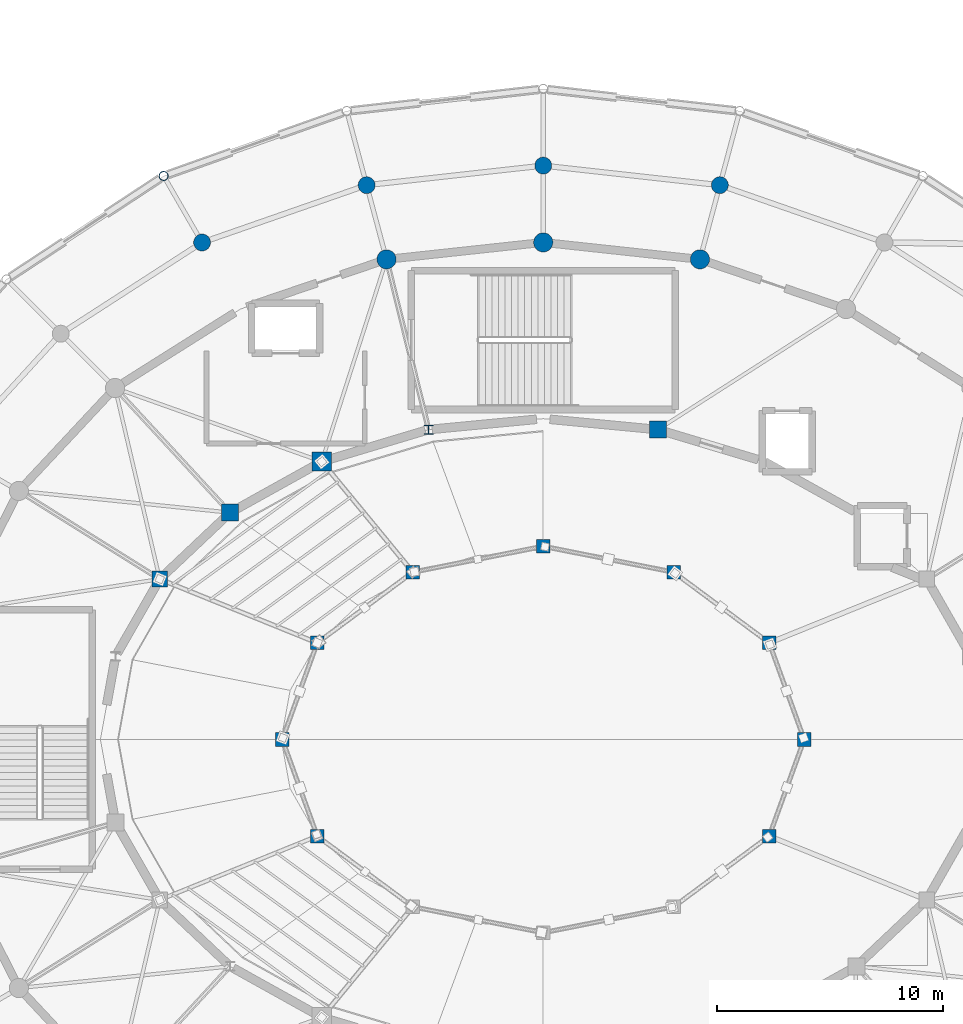
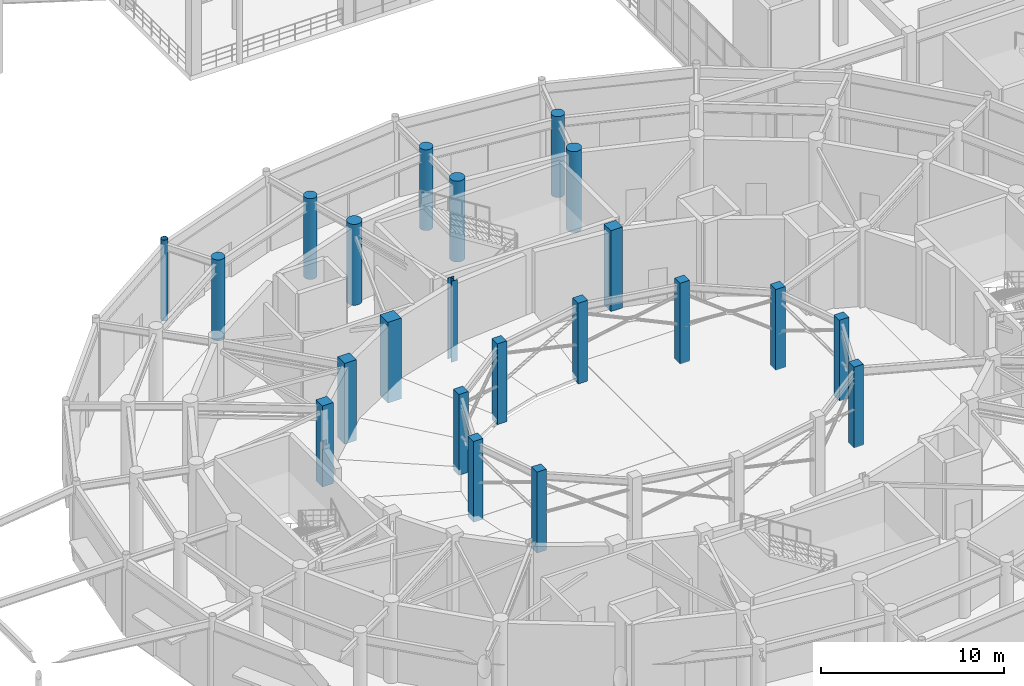
# One storey, part 8 of 93: 22 columns.
"""IFC4 building model written with IfcOpenShell, lengths in metres."""

from ifc_helpers import new_model, si_unit, direction, frame, origin, origin_2d, place, context, subcontext, project, spatial, rectangle, circle, hollow_circle, i_section, extrude, material, material_profile, profile_set, type_object, element, save


model = new_model("IFC4")

# Units and contexts
model_context = context("Model", 3, precision=1e-05, world=origin(), true_north=direction((0.0, 1.0)))
body_context = subcontext(model_context, "Body", "Model", "MODEL_VIEW")
ifc_project = project(units=[si_unit("LENGTHUNIT", "METRE"), si_unit("AREAUNIT", "SQUARE_METRE"), si_unit("VOLUMEUNIT", "CUBIC_METRE"), si_unit("PLANEANGLEUNIT", "RADIAN"), si_unit("MASSUNIT", "GRAM", prefix="KILO")], contexts=[model_context])

# Site, building, storey
site_placement = place(None, origin())
site = spatial("IfcSite", under=ifc_project, at=site_placement, CompositionType="ELEMENT")
building_placement = place(site_placement, origin())
building = spatial("IfcBuilding", under=site, at=building_placement, Name="Cinderbank Siding Concert Hall", CompositionType="ELEMENT")
storey_placement = place(building_placement, origin())
storey = spatial("IfcBuildingStorey", under=building, at=storey_placement, Name="L01", CompositionType="ELEMENT", Elevation=0.0)

# Columns
ifc_material_1 = material(Name="Structural steel hollow section AS/NZS 1163 Grade C350L0 (350 MPa)", Category="steel")
ifc_material_profile_1 = material_profile(ifc_material_1, hollow_circle(Radius=0.203125, WallThickness=0.01611328125, at=origin_2d()), Name="406.4x16.0CHS", Category="LoadBearing")
ifc_profile_set_1 = profile_set([ifc_material_profile_1], Name="Structural steel hollow section AS/NZS 1163 Grade C350L0 (350 MPa)")
column_type_1 = type_object("IfcColumnType", Name="C-CHS406 406.4x16.0CHS", PredefinedType="COLUMN", material=ifc_profile_set_1)
column_1_placement = place(storey_placement, frame((105.199951171875, 68.94189453125, 0.0), z_axis=(0.0, 0.0, 1.0), x_axis=(1.0, 0.0, 0.0)))
element("IfcColumn", 1, at=column_1_placement, inside=storey, type_object=column_type_1, Name="L01 Column COL-E4-09", PredefinedType="COLUMN", context=body_context, shape_type="SweptSolid", body=[
    extrude(hollow_circle(Radius=0.203125, WallThickness=0.01611328125, at=origin_2d()), origin(), (0.0, 0.0, 1.0), 5.39990234375),
])
ifc_material_2 = material(Name="Reinforced concrete AS 3600 N50 (50 MPa)", Category="concrete")
ifc_material_profile_2 = material_profile(ifc_material_2, rectangle(XDim=0.60009765625, YDim=0.60009765625, at=origin_2d()), Name="RC-COL-600x600", Category="LoadBearing")
ifc_profile_set_2 = profile_set([ifc_material_profile_2], Name="Reinforced concrete AS 3600 N50 (50 MPa)")
column_type_2 = type_object("IfcColumnType", Name="C-RC600 RC-COL-600x600", PredefinedType="COLUMN", material=ifc_profile_set_2)
for number, where, z_axis, x_axis, name in (
    (2, (133.550048828125, 44.0, 0.0), (0.0, 0.0, 1.0), (1.0, 0.0, 0.0), "L01 Column COL-E0-01"),
    (3, (132.0029296875, 48.27490234375, 0.0), (0.0, 0.0, 1.0), (1.0, 0.0, 0.0), "L01 Column COL-E0-03"),
    (4, (127.77490234375, 51.404052734375, 0.0), (0.0, 0.0, 1.0), (1.0, 0.0, 0.0), "L01 Column COL-E0-05"),
    (5, (122.0, 52.550048828125, 0.0), (0.0, 0.0, 1.0), (1.0, 0.0, 0.0), "L01 Column COL-E0-07"),
    (6, (116.22509765625, 51.404052734375, 0.0), (0.0, 0.0, 1.0), (1.0, 0.0, 0.0), "L01 Column COL-E0-09"),
    (7, (111.9970703125, 48.27490234375, 0.0), (0.0, 0.0, 1.0), (1.0, 0.0, 0.0), "L01 Column COL-E0-11"),
    (8, (110.449951171875, 44.0, 0.0), (0.0, 0.0, 1.0), (1.0, 0.0, 0.0), "L01 Column COL-E0-13"),
    (9, (111.9970703125, 39.72509765625, 0.0), (0.0, 0.0, 1.0), (1.0, 0.0, 0.0), "L01 Column COL-E0-15"),
    (10, (132.0029296875, 39.72509765625, 0.0), (0.0, 0.0, 1.0), (1.0, 0.0, 0.0), "L01 Column COL-E0-23"),
):
    element("IfcColumn", number, at=place(storey_placement, frame(where, z_axis=z_axis, x_axis=x_axis)), inside=storey, type_object=column_type_2, Name=name, PredefinedType="COLUMN", context=body_context, shape_type="SweptSolid", body=[
        extrude(rectangle(XDim=0.60009765625, YDim=0.60009765625, at=origin_2d()), origin(), (0.0, 0.0, 1.0), 5.39990234375),
    ])
ifc_material_profile_3 = material_profile(ifc_material_2, rectangle(XDim=0.699951171875, YDim=0.699951171875, at=origin_2d()), Name="RC-COL-700x700", Category="LoadBearing")
ifc_profile_set_3 = profile_set([ifc_material_profile_3], Name="Reinforced concrete AS 3600 N50 (50 MPa)")
column_type_3 = type_object("IfcColumnType", Name="C-RC700 RC-COL-700x700", PredefinedType="COLUMN", material=ifc_profile_set_3)
column_2_placement = place(storey_placement, frame((105.02587890625, 51.10009765625, 0.0), z_axis=(0.0, 0.0, 1.0), x_axis=(1.0, 0.0, 0.0)))
element("IfcColumn", 11, at=column_2_placement, inside=storey, type_object=column_type_3, Name="L01 Column COL-E1-11", PredefinedType="COLUMN", context=body_context, shape_type="SweptSolid", body=[
    extrude(rectangle(XDim=0.699951171875, YDim=0.699951171875, at=origin_2d()), origin(), (0.0, 0.0, 1.0), 5.39990234375),
])
ifc_material_profile_4 = material_profile(ifc_material_2, rectangle(XDim=0.75, YDim=0.75, at=origin_2d()), Name="RC-COL-750x750", Category="LoadBearing")
ifc_profile_set_4 = profile_set([ifc_material_profile_4], Name="Reinforced concrete AS 3600 N50 (50 MPa)")
column_type_4 = type_object("IfcColumnType", Name="C-RC750 RC-COL-750x750", PredefinedType="COLUMN", material=ifc_profile_set_4)
for number, where, z_axis, x_axis, name in (
    (12, (127.072998046875, 57.716064453125, 0.0), (0.0, 0.0, 1.0), (1.0, 0.0, 0.0), "L01 Column COL-E1-06"),
    (13, (108.14111328125, 54.041015625, 0.0), (0.0, 0.0, 1.0), (1.0, 0.0, 0.0), "L01 Column COL-E1-10"),
):
    element("IfcColumn", number, at=place(storey_placement, frame(where, z_axis=z_axis, x_axis=x_axis)), inside=storey, type_object=column_type_4, Name=name, PredefinedType="COLUMN", context=body_context, shape_type="SweptSolid", body=[
        extrude(rectangle(XDim=0.75, YDim=0.75, at=origin_2d()), origin(), (0.0, 0.0, 1.0), 5.39990234375),
    ])
ifc_material_profile_5 = material_profile(ifc_material_2, rectangle(XDim=0.85009765625, YDim=0.85009765625, at=origin_2d()), Name="RC-COL-850x850", Category="LoadBearing")
ifc_profile_set_5 = profile_set([ifc_material_profile_5], Name="Reinforced concrete AS 3600 N50 (50 MPa)")
column_type_5 = type_object("IfcColumnType", Name="C-RC850 RC-COL-850x850", PredefinedType="COLUMN", material=ifc_profile_set_5)
column_3_placement = place(storey_placement, frame((112.199951171875, 56.298095703125, 0.0), z_axis=(0.0, 0.0, 1.0), x_axis=(1.0, 0.0, 0.0)))
element("IfcColumn", 14, at=column_3_placement, inside=storey, type_object=column_type_5, Name="L01 Column COL-E1-09", PredefinedType="COLUMN", context=body_context, shape_type="SweptSolid", body=[
    extrude(rectangle(XDim=0.85009765625, YDim=0.85009765625, at=origin_2d()), origin(), (0.0, 0.0, 1.0), 5.39990234375),
])
ifc_material_profile_6 = material_profile(ifc_material_2, circle(Radius=0.375, at=origin_2d()), Name="RC-COL-750DIA", Category="LoadBearing")
ifc_profile_set_6 = profile_set([ifc_material_profile_6], Name="Reinforced concrete AS 3600 N50 (50 MPa)")
column_type_6 = type_object("IfcColumnType", Name="C-RCD750 RC-COL-750DIA", PredefinedType="COLUMN", material=ifc_profile_set_6)
for number, where, z_axis, x_axis, name in (
    (15, (129.81591796875, 68.533935546875, 0.0), (0.0, 0.0, 1.0), (1.0, 0.0, 0.0), "L01 Column COL-E3-06"),
    (16, (122.0, 69.39990234375, 0.0), (0.0, 0.0, 1.0), (1.0, 0.0, 0.0), "L01 Column COL-E3-07"),
    (17, (114.18408203125, 68.533935546875, 0.0), (0.0, 0.0, 1.0), (1.0, 0.0, 0.0), "L01 Column COL-E3-08"),
    (18, (106.89990234375, 65.9970703125, 0.0), (0.0, 0.0, 1.0), (1.0, 0.0, 0.0), "L01 Column COL-E3-09"),
):
    element("IfcColumn", number, at=place(storey_placement, frame(where, z_axis=z_axis, x_axis=x_axis)), inside=storey, type_object=column_type_6, Name=name, PredefinedType="COLUMN", context=body_context, shape_type="SweptSolid", body=[
        extrude(circle(Radius=0.375, at=origin_2d()), origin(), (0.0, 0.0, 1.0), 5.39990234375),
    ])
ifc_material_profile_7 = material_profile(ifc_material_2, circle(Radius=0.425048828125, at=origin_2d()), Name="RC-COL-850DIA", Category="LoadBearing")
ifc_profile_set_7 = profile_set([ifc_material_profile_7], Name="Reinforced concrete AS 3600 N50 (50 MPa)")
column_type_7 = type_object("IfcColumnType", Name="C-RCD850 RC-COL-850DIA", PredefinedType="COLUMN", material=ifc_profile_set_7)
for number, where, z_axis, x_axis, name in (
    (19, (128.93603515625, 65.25, 0.0), (0.0, 0.0, 1.0), (1.0, 0.0, 0.0), "L01 Column COL-E2-06"),
    (20, (122.0, 66.0, 0.0), (0.0, 0.0, 1.0), (1.0, 0.0, 0.0), "L01 Column COL-E2-07"),
    (21, (115.06396484375, 65.25, 0.0), (0.0, 0.0, 1.0), (1.0, 0.0, 0.0), "L01 Column COL-E2-08"),
):
    element("IfcColumn", number, at=place(storey_placement, frame(where, z_axis=z_axis, x_axis=x_axis)), inside=storey, type_object=column_type_7, Name=name, PredefinedType="COLUMN", context=body_context, shape_type="SweptSolid", body=[
        extrude(circle(Radius=0.425048828125, at=origin_2d()), origin(), (0.0, 0.0, 1.0), 5.39990234375),
    ])
ifc_material_3 = material(Name="Structural steel welded plate section AS/NZS 3679.2 / AS/NZS 3678 Grade 350 (340 MPa)", Category="steel")
ifc_material_profile_8 = material_profile(ifc_material_3, i_section(OverallWidth=0.39990234375, OverallDepth=0.39990234375, WebThickness=0.01611328125, FlangeThickness=0.02490234375, at=origin_2d()), Name="400WC212", Category="LoadBearing")
ifc_profile_set_8 = profile_set([ifc_material_profile_8], Name="Structural steel welded plate section AS/NZS 3679.2 / AS/NZS 3678 Grade 350 (340 MPa)")
column_type_8 = type_object("IfcColumnType", Name="C-WC400 400WC212", PredefinedType="COLUMN", material=ifc_profile_set_8)
column_4_placement = place(storey_placement, frame((116.927001953125, 57.716064453125, 0.0), z_axis=(0.0, 0.0, 1.0), x_axis=(1.0, 0.0, 0.0)))
element("IfcColumn", 22, at=column_4_placement, inside=storey, type_object=column_type_8, Name="L01 Column COL-E1-08", PredefinedType="COLUMN", context=body_context, shape_type="SweptSolid", body=[
    extrude(i_section(OverallWidth=0.39990234375, OverallDepth=0.39990234375, WebThickness=0.01611328125, FlangeThickness=0.02490234375, at=origin_2d()), origin(), (0.0, 0.0, 1.0), 5.39990234375),
])

save(model, "model.ifc")
